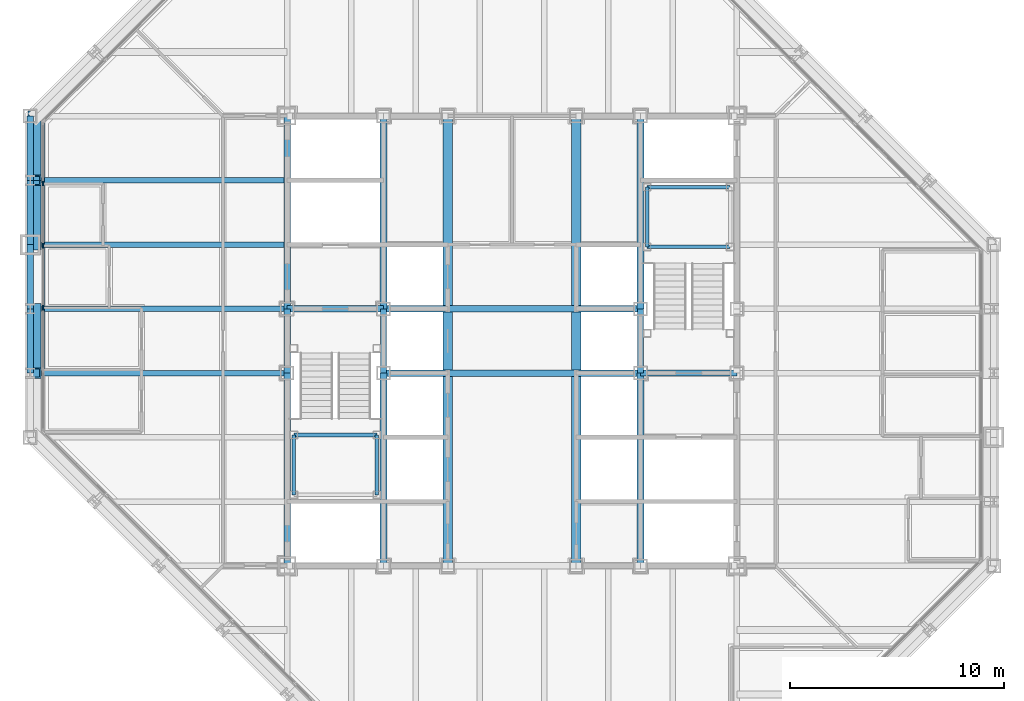
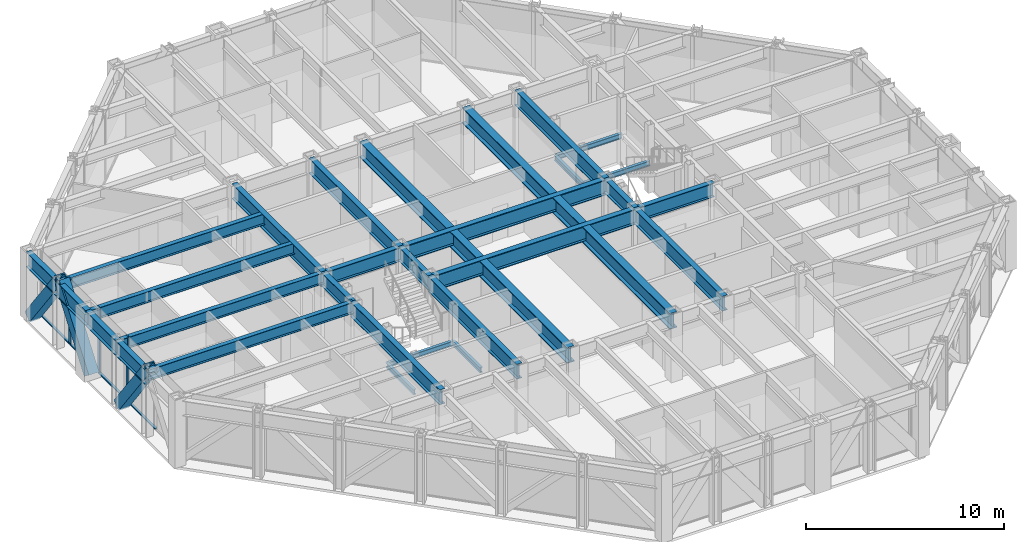
# One storey, part 5 of 15: 33 beams, 10 members, 1 element without a shape of its own.
"""IFC4 building model written with IfcOpenShell, lengths in metres."""

from ifc_helpers import new_model, si_unit, direction, frame, origin, origin_2d, place, context, subcontext, project, spatial, rectangle, hollow_rectangle, i_section, extrude, material, layer, layer_set, material_profile, profile_set, type_object, element, aggregate, save


model = new_model("IFC4")

# Units and contexts
model_context = context("Model", 3, precision=1e-05, world=origin(), true_north=direction((0.0, 1.0)))
body_context = subcontext(model_context, "Body", "Model", "MODEL_VIEW")
ifc_project = project(units=[si_unit("LENGTHUNIT", "METRE"), si_unit("AREAUNIT", "SQUARE_METRE"), si_unit("VOLUMEUNIT", "CUBIC_METRE"), si_unit("PLANEANGLEUNIT", "RADIAN"), si_unit("MASSUNIT", "GRAM", prefix="KILO")], contexts=[model_context])

# Site, building, storey
site_placement = place(None, origin())
site = spatial("IfcSite", under=ifc_project, at=site_placement, CompositionType="ELEMENT")
building_placement = place(site_placement, origin())
building = spatial("IfcBuilding", under=site, at=building_placement, Name="Chuquiago Exchange Tower", CompositionType="ELEMENT")
storey_placement = place(building_placement, frame((0.0, 0.0, 188.699951171875)))
storey = spatial("IfcBuildingStorey", under=building, at=storey_placement, Name="L41", CompositionType="ELEMENT", Elevation=188.699951171875)

# Beams
ifc_material_1 = material(Name="Steel ASTM A992", Category="steel")
ifc_material_profile_1 = material_profile(ifc_material_1, i_section(OverallWidth=0.25390625, OverallDepth=0.683349609375, WebThickness=0.012451171875, FlangeThickness=0.018798828125, at=origin_2d()), Name="W27X94")
ifc_profile_set_1 = profile_set([ifc_material_profile_1], Name="Steel ASTM A992")
beam_type_1 = type_object("IfcBeamType", Name="B1 W27X94", PredefinedType="BEAM", material=ifc_profile_set_1)
for number, where, z_axis, x_axis, name in (
    (1, (12.0, 21.0, 3.698486328125), (-1.0, 0.0, 0.0), (0.0, -1.0, 0.0), "FB-L42-infill-12_21--0_21-0"),
    (2, (12.0, 24.0, 3.698486328125), (-1.0, 0.0, 0.0), (0.0, -1.0, 0.0), "FB-L42-infill-12_24--0_24-0"),
    (3, (12.0, 27.0, 3.698486328125), (-1.0, 0.0, 0.0), (0.0, -1.0, 0.0), "FB-L42-infill-12_27--0_27-0"),
    (4, (12.0, 30.0, 3.698486328125), (-1.0, 0.0, 0.0), (0.0, -1.0, 0.0), "FB-L42-infill-12_30--0_30-0"),
):
    element("IfcBeam", number, at=place(storey_placement, frame(where, z_axis=z_axis, x_axis=x_axis)), inside=storey, type_object=beam_type_1, Name=name, PredefinedType="BEAM", context=body_context, shape_type="SweptSolid", body=[
        extrude(i_section(OverallWidth=0.25390625, OverallDepth=0.683349609375, WebThickness=0.012451171875, FlangeThickness=0.018798828125, at=origin_2d()), origin(), (0.0, 0.0, 1.0), 12.0),
    ])
ifc_material_2 = material(Name="Steel ASTM A992", Category="steel")
ifc_material_profile_2 = material_profile(ifc_material_2, i_section(OverallWidth=0.307373046875, OverallDepth=0.927001953125, WebThickness=0.01953125, FlangeThickness=0.031982421875, at=origin_2d()), Name="W36X194")
ifc_profile_set_2 = profile_set([ifc_material_profile_2], Name="Steel ASTM A992")
beam_type_2 = type_object("IfcBeamType", Name="B10 W36X194", PredefinedType="BEAM", material=ifc_profile_set_2)
for number, where, z_axis, x_axis, name in (
    (5, (12.0, 12.0, 3.57666015625), (0.0, 1.0, 0.0), (-1.0, 0.0, 0.0), "CB-L42-12_12-12_21"),
    (6, (12.0, 24.0, 3.57666015625), (0.0, 1.0, 0.0), (-1.0, 0.0, 0.0), "CB-L42-12_24-12_33"),
    (7, (16.5, 12.0, 3.57666015625), (0.0, 1.0, 0.0), (-1.0, 0.0, 0.0), "CB-L42-16.5_12-16.5_21"),
    (8, (16.5, 24.0, 3.57666015625), (0.0, 1.0, 0.0), (-1.0, 0.0, 0.0), "CB-L42-16.5_24-16.5_33"),
    (9, (28.5, 12.0, 3.57666015625), (0.0, 1.0, 0.0), (-1.0, 0.0, 0.0), "CB-L42-28.5_12-28.5_21"),
    (10, (28.5, 24.0, 3.57666015625), (0.0, 1.0, 0.0), (-1.0, 0.0, 0.0), "CB-L42-28.5_24-28.5_33"),
):
    element("IfcBeam", number, at=place(storey_placement, frame(where, z_axis=z_axis, x_axis=x_axis)), inside=storey, type_object=beam_type_2, Name=name, PredefinedType="BEAM", context=body_context, shape_type="SweptSolid", body=[
        extrude(i_section(OverallWidth=0.307373046875, OverallDepth=0.927001953125, WebThickness=0.01953125, FlangeThickness=0.031982421875, at=origin_2d()), origin(), (0.0, 0.0, 1.0), 9.0),
    ])
ifc_material_3 = material(Name="Steel ASTM A992", Category="steel")
ifc_material_profile_3 = material_profile(ifc_material_3, i_section(OverallWidth=0.309814453125, OverallDepth=0.949951171875, WebThickness=0.0244140625, FlangeThickness=0.0439453125, at=origin_2d()), Name="W36X256")
ifc_profile_set_3 = profile_set([ifc_material_profile_3], Name="Steel ASTM A992")
beam_type_3 = type_object("IfcBeamType", Name="B11 W36X256", PredefinedType="BEAM", material=ifc_profile_set_3)
for number, where, z_axis, x_axis, name in (
    (11, (16.5, 21.0, 3.56494140625), (1.0, 0.0, 0.0), (0.0, 1.0, 0.0), "CB-L42-16.5_21-28.5_21"),
    (12, (16.5, 24.0, 3.56494140625), (1.0, 0.0, 0.0), (0.0, 1.0, 0.0), "CB-L42-16.5_24-28.5_24"),
):
    element("IfcBeam", number, at=place(storey_placement, frame(where, z_axis=z_axis, x_axis=x_axis)), inside=storey, type_object=beam_type_3, Name=name, PredefinedType="BEAM", context=body_context, shape_type="SweptSolid", body=[
        extrude(i_section(OverallWidth=0.309814453125, OverallDepth=0.949951171875, WebThickness=0.0244140625, FlangeThickness=0.0439453125, at=origin_2d()), origin(), (0.0, 0.0, 1.0), 12.0),
    ])
ifc_material_4 = material(Name="Steel ASTM A992", Category="steel")
ifc_material_profile_4 = material_profile(ifc_material_4, i_section(OverallWidth=0.4267578125, OverallDepth=0.975341796875, WebThickness=0.031005859375, FlangeThickness=0.055908203125, at=origin_2d()), Name="W36X395")
ifc_profile_set_4 = profile_set([ifc_material_profile_4], Name="Steel ASTM A992")
beam_type_4 = type_object("IfcBeamType", Name="B12 W36X395", PredefinedType="BEAM", material=ifc_profile_set_4)
beam_1_placement = place(storey_placement, frame((19.5, 12.0, 3.55224609375), z_axis=(0.0, 1.0, 0.0), x_axis=(-1.0, 0.0, 0.0)))
element("IfcBeam", 13, at=beam_1_placement, inside=storey, type_object=beam_type_4, Name="CB-L42-19.5_12-19.5_20.8451", PredefinedType="BEAM", context=body_context, shape_type="SweptSolid", body=[
    extrude(i_section(OverallWidth=0.4267578125, OverallDepth=0.975341796875, WebThickness=0.031005859375, FlangeThickness=0.055908203125, at=origin_2d()), origin(), (0.0, 0.0, 1.0), 8.84521484375),
])
beam_2_placement = place(storey_placement, frame((19.5, 21.15478515625, 3.55224609375), z_axis=(0.0, 1.0, 0.0), x_axis=(-1.0, 0.0, 0.0)))
element("IfcBeam", 14, at=beam_2_placement, inside=storey, type_object=beam_type_4, Name="CB-L42-19.5_21.1549-19.5_23.8451", PredefinedType="BEAM", context=body_context, shape_type="SweptSolid", body=[
    extrude(i_section(OverallWidth=0.4267578125, OverallDepth=0.975341796875, WebThickness=0.031005859375, FlangeThickness=0.055908203125, at=origin_2d()), origin(), (0.0, 0.0, 1.0), 2.6904296875),
])
for number, where, z_axis, x_axis, name in (
    (15, (19.5, 24.15478515625, 3.55224609375), (0.0, 1.0, 0.0), (-1.0, 0.0, 0.0), "CB-L42-19.5_24.1549-19.5_33"),
    (16, (25.5, 12.0, 3.55224609375), (0.0, 1.0, 0.0), (-1.0, 0.0, 0.0), "CB-L42-25.5_12-25.5_20.8451"),
):
    element("IfcBeam", number, at=place(storey_placement, frame(where, z_axis=z_axis, x_axis=x_axis)), inside=storey, type_object=beam_type_4, Name=name, PredefinedType="BEAM", context=body_context, shape_type="SweptSolid", body=[
        extrude(i_section(OverallWidth=0.4267578125, OverallDepth=0.975341796875, WebThickness=0.031005859375, FlangeThickness=0.055908203125, at=origin_2d()), origin(), (0.0, 0.0, 1.0), 8.84521484375),
    ])
beam_3_placement = place(storey_placement, frame((25.5, 21.15478515625, 3.55224609375), z_axis=(0.0, 1.0, 0.0), x_axis=(-1.0, 0.0, 0.0)))
element("IfcBeam", 17, at=beam_3_placement, inside=storey, type_object=beam_type_4, Name="CB-L42-25.5_21.1549-25.5_23.8451", PredefinedType="BEAM", context=body_context, shape_type="SweptSolid", body=[
    extrude(i_section(OverallWidth=0.4267578125, OverallDepth=0.975341796875, WebThickness=0.031005859375, FlangeThickness=0.055908203125, at=origin_2d()), origin(), (0.0, 0.0, 1.0), 2.6904296875),
])
beam_4_placement = place(storey_placement, frame((25.5, 24.15478515625, 3.55224609375), z_axis=(0.0, 1.0, 0.0), x_axis=(-1.0, 0.0, 0.0)))
element("IfcBeam", 18, at=beam_4_placement, inside=storey, type_object=beam_type_4, Name="CB-L42-25.5_24.1549-25.5_33", PredefinedType="BEAM", context=body_context, shape_type="SweptSolid", body=[
    extrude(i_section(OverallWidth=0.4267578125, OverallDepth=0.975341796875, WebThickness=0.031005859375, FlangeThickness=0.055908203125, at=origin_2d()), origin(), (0.0, 0.0, 1.0), 8.84521484375),
])
ifc_material_5 = material(Name="Steel ASTM A992", Category="steel")
ifc_material_profile_5 = material_profile(ifc_material_5, i_section(OverallWidth=0.2919921875, OverallDepth=0.8583984375, WebThickness=0.01708984375, FlangeThickness=0.031005859375, at=origin_2d()), Name="W33X169")
ifc_profile_set_5 = profile_set([ifc_material_profile_5], Name="Steel ASTM A992")
beam_type_5 = type_object("IfcBeamType", Name="B3 W33X169", PredefinedType="BEAM", material=ifc_profile_set_5)
for number, where, z_axis, x_axis, name in (
    (19, (12.0, 21.0, 3.61083984375), (0.0, 1.0, 0.0), (-1.0, 0.0, 0.0), "CB-L42-12_21-12_24"),
    (20, (16.5, 21.0, 3.61083984375), (0.0, 1.0, 0.0), (-1.0, 0.0, 0.0), "CB-L42-16.5_21-16.5_24"),
    (21, (28.5, 21.0, 3.61083984375), (0.0, 1.0, 0.0), (-1.0, 0.0, 0.0), "CB-L42-28.5_21-28.5_24"),
):
    element("IfcBeam", number, at=place(storey_placement, frame(where, z_axis=z_axis, x_axis=x_axis)), inside=storey, type_object=beam_type_5, Name=name, PredefinedType="BEAM", context=body_context, shape_type="SweptSolid", body=[
        extrude(i_section(OverallWidth=0.2919921875, OverallDepth=0.8583984375, WebThickness=0.01708984375, FlangeThickness=0.031005859375, at=origin_2d()), origin(), (0.0, 0.0, 1.0), 3.0),
    ])
for number, where, z_axis, x_axis, name in (
    (22, (28.5, 21.0, 3.61083984375), (1.0, 0.0, 0.0), (0.0, 1.0, 0.0), "CB-L42-28.5_21-33_21"),
    (23, (12.0, 24.0, 3.61083984375), (1.0, 0.0, 0.0), (0.0, 1.0, 0.0), "CB-L42-12_24-16.5_24"),
):
    element("IfcBeam", number, at=place(storey_placement, frame(where, z_axis=z_axis, x_axis=x_axis)), inside=storey, type_object=beam_type_5, Name=name, PredefinedType="BEAM", context=body_context, shape_type="SweptSolid", body=[
        extrude(i_section(OverallWidth=0.2919921875, OverallDepth=0.8583984375, WebThickness=0.01708984375, FlangeThickness=0.031005859375, at=origin_2d()), origin(), (0.0, 0.0, 1.0), 4.5),
    ])

# Curtain wall, members
ifc_material_6 = material(Name="Aluminium curtain wall system", Category="aluminium")
ifc_layer = layer(ifc_material_6, 0.22509765625)
ifc_layer_set = layer_set([ifc_layer], Name="CW2 office curtain wall")
curtain_wall_type = type_object("IfcCurtainWallType", Name="CW2 office curtain wall", PredefinedType="NOTDEFINED", material=ifc_layer_set)
curtain_wall_placement = place(storey_placement, origin())
curtain_wall = element("IfcCurtainWall", 24, at=curtain_wall_placement, inside=storey, type_object=curtain_wall_type, Name="CW2 curtain wall L41", PredefinedType="NOTDEFINED")
ifc_material_7 = material(Name="Aluminium mullion, pale anodised", Category="aluminium")
ifc_material_profile_6 = material_profile(ifc_material_7, rectangle(XDim=0.06494140625, YDim=0.22509765625, at=origin_2d()), Name="AL 65x225")
ifc_profile_set_6 = profile_set([ifc_material_profile_6], Name="Aluminium mullion, pale anodised")
member_type_1 = type_object("IfcMemberType", Name="CW2-M mullion 65x225", PredefinedType="MULLION", material=ifc_profile_set_6)
member_1_placement = place(storey_placement, frame((0.60009765625, 29.850830078125, 0.0), z_axis=(0.0, 0.0, 1.0), x_axis=(1.0, 0.0, 0.0)))
member_1 = element("IfcMember", 25, at=member_1_placement, type_object=member_type_1, Name="CW2 mullion 2", PredefinedType="MULLION", context=body_context, shape_type="SweptSolid", body=[
    extrude(rectangle(XDim=0.06494140625, YDim=0.22509765625, at=origin_2d()), origin(), (0.0, 0.0, 1.0), 4.0400390625),
])
member_2_placement = place(storey_placement, frame((0.60009765625, 26.9501953125, 0.0), z_axis=(0.0, 0.0, 1.0), x_axis=(1.0, 0.0, 0.0)))
member_2 = element("IfcMember", 26, at=member_2_placement, type_object=member_type_1, Name="CW2 mullion 3", PredefinedType="MULLION", context=body_context, shape_type="SweptSolid", body=[
    extrude(rectangle(XDim=0.06494140625, YDim=0.22509765625, at=origin_2d()), origin(), (0.0, 0.0, 1.0), 4.0400390625),
])
member_3_placement = place(storey_placement, frame((0.60009765625, 24.0498046875, 0.0), z_axis=(0.0, 0.0, 1.0), x_axis=(1.0, 0.0, 0.0)))
member_3 = element("IfcMember", 27, at=member_3_placement, type_object=member_type_1, Name="CW2 mullion 4", PredefinedType="MULLION", context=body_context, shape_type="SweptSolid", body=[
    extrude(rectangle(XDim=0.06494140625, YDim=0.22509765625, at=origin_2d()), origin(), (0.0, 0.0, 1.0), 4.0400390625),
])
ifc_material_8 = material(Name="Aluminium transom, pale anodised", Category="aluminium")
ifc_material_profile_7 = material_profile(ifc_material_8, rectangle(XDim=0.139892578125, YDim=0.06494140625, at=origin_2d()), Name="AL 140x65")
ifc_profile_set_7 = profile_set([ifc_material_profile_7], Name="Aluminium transom, pale anodised")
member_type_2 = type_object("IfcMemberType", Name="CW2-T transom 65x140", PredefinedType="MULLION", material=ifc_profile_set_7)
member_4_placement = place(storey_placement, frame((0.60009765625, 32.6865234375, 0.032470703125), z_axis=(0.0, -1.0, 0.0), x_axis=(1.0, 0.0, 0.0)))
member_4 = element("IfcMember", 28, at=member_4_placement, type_object=member_type_2, Name="CW2 transom 1.1", PredefinedType="MULLION", context=body_context, shape_type="SweptSolid", body=[
    extrude(rectangle(XDim=0.139892578125, YDim=0.06494140625, at=origin_2d()), origin(), (0.0, 0.0, 1.0), 2.80322265625),
])
member_5_placement = place(storey_placement, frame((0.60009765625, 29.818359375, 0.032470703125), z_axis=(0.0, -1.0, 0.0), x_axis=(1.0, 0.0, 0.0)))
member_5 = element("IfcMember", 29, at=member_5_placement, type_object=member_type_2, Name="CW2 transom 2.1", PredefinedType="MULLION", context=body_context, shape_type="SweptSolid", body=[
    extrude(rectangle(XDim=0.139892578125, YDim=0.06494140625, at=origin_2d()), origin(), (0.0, 0.0, 1.0), 2.83544921875),
])
member_6_placement = place(storey_placement, frame((0.60009765625, 26.917724609375, 0.032470703125), z_axis=(0.0, -1.0, 0.0), x_axis=(1.0, 0.0, 0.0)))
member_6 = element("IfcMember", 30, at=member_6_placement, type_object=member_type_2, Name="CW2 transom 3.1", PredefinedType="MULLION", context=body_context, shape_type="SweptSolid", body=[
    extrude(rectangle(XDim=0.139892578125, YDim=0.06494140625, at=origin_2d()), origin(), (0.0, 0.0, 1.0), 2.83544921875),
])
member_7_placement = place(storey_placement, frame((0.60009765625, 24.01708984375, 0.032470703125), z_axis=(0.0, -1.0, 0.0), x_axis=(1.0, 0.0, 0.0)))
member_7 = element("IfcMember", 31, at=member_7_placement, type_object=member_type_2, Name="CW2 transom 4.1", PredefinedType="MULLION", context=body_context, shape_type="SweptSolid", body=[
    extrude(rectangle(XDim=0.139892578125, YDim=0.06494140625, at=origin_2d()), origin(), (0.0, 0.0, 1.0), 2.83544921875),
])
aggregate(curtain_wall, [member_1, member_2, member_3, member_4, member_5, member_6, member_7])

# Beams
ifc_material_9 = material(Name="Steel ASTM A992", Category="steel")
ifc_material_profile_8 = material_profile(ifc_material_9, i_section(OverallWidth=0.164794921875, OverallDepth=0.309814453125, WebThickness=0.005859375, FlangeThickness=0.009765625, at=origin_2d()), Name="W12X26")
ifc_profile_set_8 = profile_set([ifc_material_profile_8], Name="Steel ASTM A992")
beam_type_6 = type_object("IfcBeamType", Name="LS1 W12X26", PredefinedType="BEAM", material=ifc_profile_set_8)
for number, where, z_axis, x_axis, name in (
    (32, (12.31005859375, 15.31005859375, 1.7451171875), (0.0, 1.0, 0.0), (-1.0, 0.0, 0.0), "Stair ST1 L41 landing 1 stringer"),
    (33, (16.18994140625, 15.31005859375, 1.7451171875), (0.0, 1.0, 0.0), (-1.0, 0.0, 0.0), "Stair ST1 L41 landing 1 stringer"),
    (34, (28.81005859375, 26.889892578125, 1.7451171875), (0.0, 1.0, 0.0), (-1.0, 0.0, 0.0), "Stair ST2 L41 landing 1 stringer"),
):
    element("IfcBeam", number, at=place(storey_placement, frame(where, z_axis=z_axis, x_axis=x_axis)), inside=storey, type_object=beam_type_6, Name=name, PredefinedType="BEAM", context=body_context, shape_type="SweptSolid", body=[
        extrude(i_section(OverallWidth=0.164794921875, OverallDepth=0.309814453125, WebThickness=0.005859375, FlangeThickness=0.009765625, at=origin_2d()), origin(), (0.0, 0.0, 1.0), 2.800048828125),
    ])
ifc_material_10 = material(Name="Steel ASTM A992", Category="steel")
ifc_material_profile_9 = material_profile(ifc_material_10, i_section(OverallWidth=0.164794921875, OverallDepth=0.309814453125, WebThickness=0.005859375, FlangeThickness=0.009765625, at=origin_2d()), Name="W12X26")
ifc_profile_set_9 = profile_set([ifc_material_profile_9], Name="Steel ASTM A992")
beam_type_7 = type_object("IfcBeamType", Name="LT1 W12X26", PredefinedType="BEAM", material=ifc_profile_set_9)
for number, where, z_axis, x_axis, name in (
    (35, (12.31005859375, 18.110107421875, 1.7451171875), (1.0, 0.0, 0.0), (0.0, 1.0, 0.0), "Stair ST1 L41 landing 1 trimmer"),
    (36, (28.81005859375, 29.68994140625, 1.7451171875), (1.0, 0.0, 0.0), (0.0, 1.0, 0.0), "Stair ST2 L41 landing 1 trimmer"),
    (37, (28.81005859375, 26.889892578125, 1.7451171875), (1.0, 0.0, 0.0), (0.0, 1.0, 0.0), "Stair ST2 L41 landing 1 trimmer"),
):
    element("IfcBeam", number, at=place(storey_placement, frame(where, z_axis=z_axis, x_axis=x_axis)), inside=storey, type_object=beam_type_7, Name=name, PredefinedType="BEAM", context=body_context, shape_type="SweptSolid", body=[
        extrude(i_section(OverallWidth=0.164794921875, OverallDepth=0.309814453125, WebThickness=0.005859375, FlangeThickness=0.009765625, at=origin_2d()), origin(), (0.0, 0.0, 1.0), 3.8798828125),
    ])

# Members
ifc_material_11 = material(Name="Steel ASTM A572 Grade 50", Category="steel")
ifc_material_profile_10 = material_profile(ifc_material_11, hollow_rectangle(XDim=0.60009765625, YDim=0.60009765625, WallThickness=0.06005859375, at=origin_2d()), Name="BOX600X600X60")
ifc_profile_set_10 = profile_set([ifc_material_profile_10], Name="Steel ASTM A572 Grade 50")
member_type_3 = type_object("IfcMemberType", Name="MB3 BOX600X600X60", PredefinedType="BRACE", material=ifc_profile_set_10)
for number, where, z_axis, x_axis, name in (
    (38, (0.205078125, 33.0, 0.0), (0.0, -0.596173923302, 0.802855312728), (1.0, 0.0, 0.0), "Mega diagonal L41 W face"),
    (39, (0.205078125, 27.0, 0.0), (0.0, 0.596173923302, 0.802855312728), (-1.0, 0.0, 0.0), "Mega diagonal L41 W face"),
    (40, (0.205078125, 24.0, 0.0), (0.0, -0.596173923302, 0.802855312728), (1.0, 0.0, 0.0), "Mega diagonal L41 W face"),
):
    element("IfcMember", number, at=place(storey_placement, frame(where, z_axis=z_axis, x_axis=x_axis)), inside=storey, type_object=member_type_3, Name=name, PredefinedType="BRACE", context=body_context, shape_type="SweptSolid", body=[
        extrude(hollow_rectangle(XDim=0.60009765625, YDim=0.60009765625, WallThickness=0.06005859375, at=origin_2d()), origin(), (0.0, 0.0, 1.0), 5.031982421875),
    ])

# Beams
ifc_material_12 = material(Name="Steel ASTM A992", Category="steel")
ifc_material_profile_11 = material_profile(ifc_material_12, i_section(OverallWidth=0.307373046875, OverallDepth=0.927001953125, WebThickness=0.01953125, FlangeThickness=0.031982421875, at=origin_2d()), Name="W36X194")
ifc_profile_set_11 = profile_set([ifc_material_profile_11], Name="Steel ASTM A992")
beam_type_8 = type_object("IfcBeamType", Name="SP3 W36X194", PredefinedType="SPANDREL", material=ifc_profile_set_11)
for number, where, z_axis, x_axis, name in (
    (41, (0.0, 33.0, 3.57666015625), (0.0, -1.0, 0.0), (1.0, 0.0, 0.0), "SPB-L42-0_33-0_30"),
    (42, (0.0, 30.0, 3.57666015625), (0.0, -1.0, 0.0), (1.0, 0.0, 0.0), "SPB-L42-0_30-0_27"),
    (43, (0.0, 27.0, 3.57666015625), (0.0, -1.0, 0.0), (1.0, 0.0, 0.0), "SPB-L42-0_27-0_24"),
    (44, (0.0, 24.0, 3.57666015625), (0.0, -1.0, 0.0), (1.0, 0.0, 0.0), "SPB-L42-0_24-0_21"),
):
    element("IfcBeam", number, at=place(storey_placement, frame(where, z_axis=z_axis, x_axis=x_axis)), inside=storey, type_object=beam_type_8, Name=name, PredefinedType="SPANDREL", context=body_context, shape_type="SweptSolid", body=[
        extrude(i_section(OverallWidth=0.307373046875, OverallDepth=0.927001953125, WebThickness=0.01953125, FlangeThickness=0.031982421875, at=origin_2d()), origin(), (0.0, 0.0, 1.0), 3.0),
    ])

save(model, "model.ifc")
